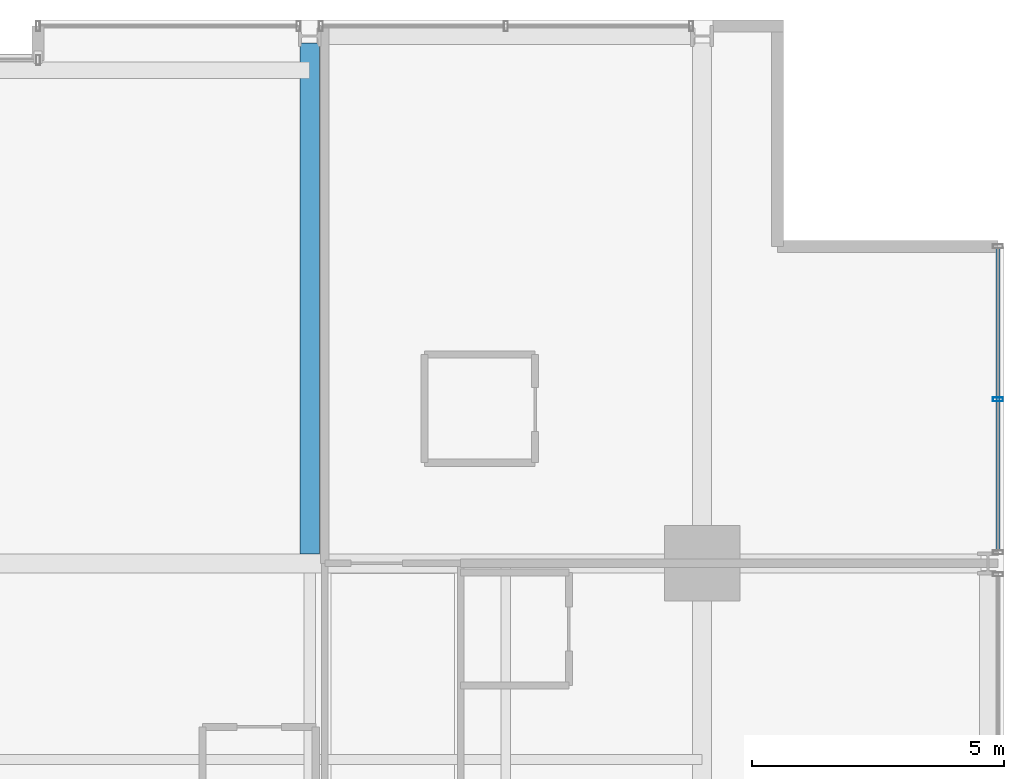
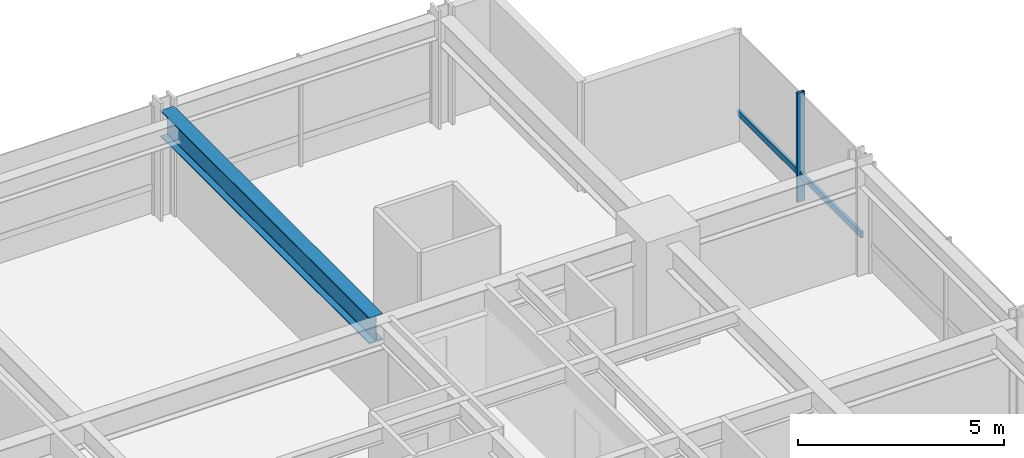
# One storey, part 24 of 34: 2 members, 1 beam, 1 element without a shape of its own.
"""IFC4 building model written with IfcOpenShell, lengths in metres."""

from ifc_helpers import new_model, si_unit, direction, frame, origin, origin_2d, place, context, subcontext, project, spatial, hollow_rectangle, i_section, extrude, material, layer, layer_set, material_profile, profile_set, type_object, element, aggregate, save


model = new_model("IFC4")

# Units and contexts
model_context = context("Model", 3, precision=1e-05, world=origin(), true_north=direction((0.0, 1.0)))
body_context = subcontext(model_context, "Body", "Model", "MODEL_VIEW")
ifc_project = project(units=[si_unit("LENGTHUNIT", "METRE"), si_unit("AREAUNIT", "SQUARE_METRE"), si_unit("VOLUMEUNIT", "CUBIC_METRE"), si_unit("PLANEANGLEUNIT", "RADIAN"), si_unit("MASSUNIT", "GRAM", prefix="KILO")], contexts=[model_context])

# Site, building, storey
site_placement = place(None, origin())
site = spatial("IfcSite", under=ifc_project, at=site_placement, CompositionType="ELEMENT")
building_placement = place(site_placement, origin())
building = spatial("IfcBuilding", under=site, at=building_placement, Name="Drelvath Grand Hotel", CompositionType="ELEMENT")
storey_placement = place(building_placement, frame((0.0, 0.0, 109.300048828125)))
storey = spatial("IfcBuildingStorey", under=building, at=storey_placement, Name="L27", CompositionType="ELEMENT", Elevation=109.300048828125)

# Curtain wall, members
ifc_material_1 = material(Name="Champagne Bronze Anodised Aluminium Frame", Category="aluminium")
ifc_layer = layer(ifc_material_1, 0.199951171875)
ifc_layer_set = layer_set([ifc_layer], Name="Champagne Bronze Anodised Aluminium Frame")
curtain_wall_type = type_object("IfcCurtainWallType", Name="Stick Curtain Wall CW-03 Champagne Bronze Mid-Rise", PredefinedType="NOTDEFINED", material=ifc_layer_set)
curtain_wall_placement = place(storey_placement, origin())
curtain_wall = element("IfcCurtainWall", 1, at=curtain_wall_placement, inside=storey, type_object=curtain_wall_type, Name="L27 CW-03 Curtain Wall CW03-L27-EN3", PredefinedType="NOTDEFINED")
ifc_material_profile_1 = material_profile(ifc_material_1, hollow_rectangle(XDim=0.074951171875, YDim=0.179931640625, WallThickness=0.0048828125, at=origin_2d()), Name="HSS180X75X5")
ifc_profile_set_1 = profile_set([ifc_material_profile_1], Name="Champagne Bronze Anodised Aluminium Frame")
member_type_1 = type_object("IfcMemberType", Name="Curtain Wall Horizontal Transom CW-03 HSS180X75X5", PredefinedType="USERDEFINED", material=ifc_profile_set_1)
member_1_placement = place(storey_placement, frame((22.080078125, 49.4599609375, 0.81005859375), z_axis=(0.0, -1.0, 0.0), x_axis=(1.0, 0.0, 0.0)))
member_1 = element("IfcMember", 2, at=member_1_placement, type_object=member_type_1, Name="CW03-L27-EN3 Sill Transom", ObjectType="TRANSOM", PredefinedType="USERDEFINED", context=body_context, shape_type="SweptSolid", body=[
    extrude(hollow_rectangle(XDim=0.074951171875, YDim=0.179931640625, WallThickness=0.0048828125, at=origin_2d()), origin(), (0.0, 0.0, 1.0), 6.000244140625),
])
ifc_material_profile_2 = material_profile(ifc_material_1, hollow_rectangle(XDim=0.080078125, YDim=0.199951171875, WallThickness=0.0048828125, at=origin_2d()), Name="HSS200X80X5")
ifc_profile_set_2 = profile_set([ifc_material_profile_2], Name="Champagne Bronze Anodised Aluminium Frame")
member_type_2 = type_object("IfcMemberType", Name="Curtain Wall Vertical Mullion CW-03 HSS200X80X5", PredefinedType="MULLION", material=ifc_profile_set_2)
member_2_placement = place(storey_placement, frame((22.080078125, 46.459716796875, 0.0), z_axis=(0.0, 0.0, 1.0), x_axis=(0.0, 1.0, 0.0)))
member_2 = element("IfcMember", 3, at=member_2_placement, type_object=member_type_2, Name="CW03-L27-EN3 Mullion 2", PredefinedType="MULLION", context=body_context, shape_type="SweptSolid", body=[
    extrude(hollow_rectangle(XDim=0.080078125, YDim=0.199951171875, WallThickness=0.0048828125, at=origin_2d()), origin(), (0.0, 0.0, 1.0), 3.239990234375),
])
aggregate(curtain_wall, [member_2, member_1])

# Beam
ifc_material_2 = material(Name="Steel ASTM A992 Gr 50", Category="steel")
ifc_material_profile_3 = material_profile(ifc_material_2, i_section(OverallWidth=0.380615234375, OverallDepth=0.773193359375, WebThickness=0.0166015625, FlangeThickness=0.027099609375, FilletRadius=0.02490234375, at=origin_2d()), Name="W30X173")
ifc_profile_set_3 = profile_set([ifc_material_profile_3], Name="Steel ASTM A992 Gr 50")
beam_type = type_object("IfcBeamType", Name="Primary Floor Girder W30X173", PredefinedType="BEAM", material=ifc_profile_set_3)
beam_placement = place(storey_placement, frame((8.39990234375, 43.390380859375, 2.853271484375), z_axis=(0.0, 1.0, 0.0), x_axis=(-1.0, 0.0, 0.0)))
element("IfcBeam", 4, at=beam_placement, inside=storey, type_object=beam_type, Name="L27 North Wing Girder 6", PredefinedType="BEAM", context=body_context, shape_type="SweptSolid", body=[
    extrude(i_section(OverallWidth=0.380615234375, OverallDepth=0.773193359375, WebThickness=0.0166015625, FlangeThickness=0.027099609375, FilletRadius=0.02490234375, at=origin_2d()), origin(), (0.0, 0.0, 1.0), 10.149658203125),
])

save(model, "model.ifc")
